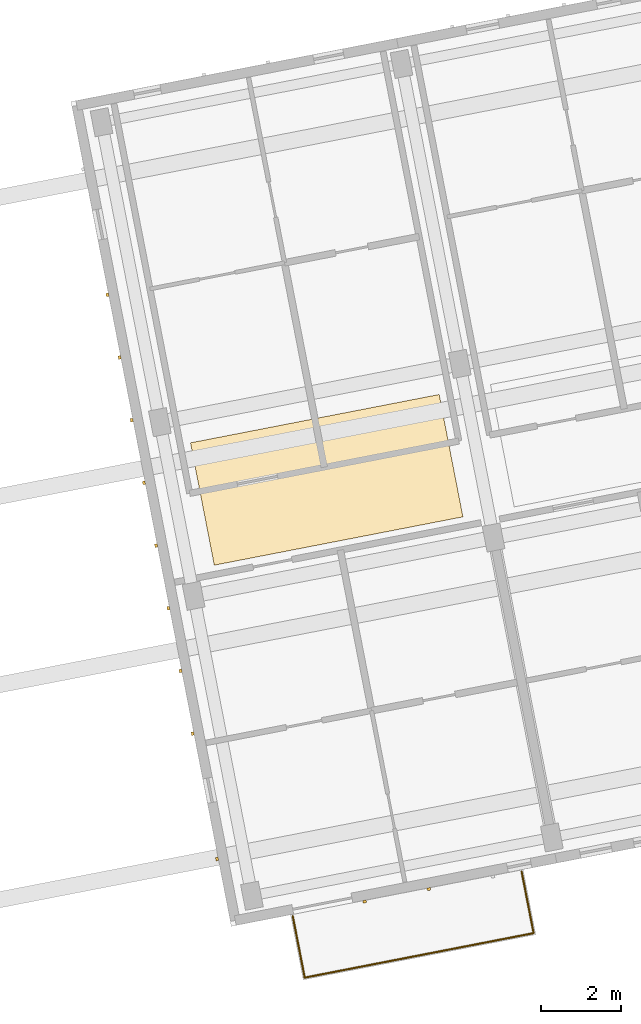
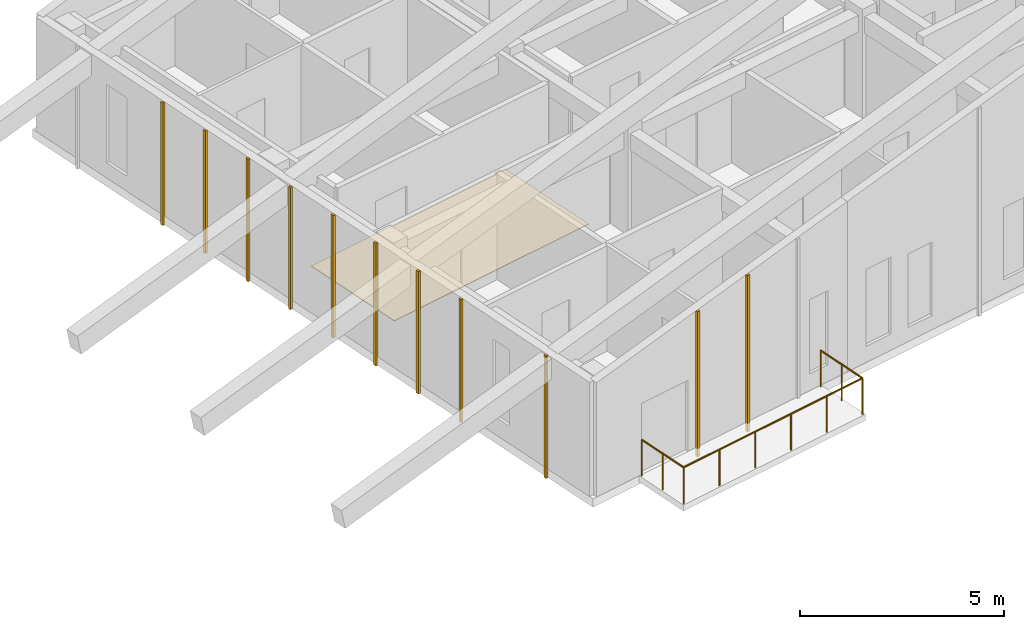
# One storey, part 51 of 64: 12 coverings, 1 railing.
"""IFC4 building model written with IfcOpenShell, lengths in metres."""

from ifc_helpers import new_model, si_unit, direction, frame, origin, origin_2d, place, context, subcontext, project, spatial, polyline, rectangle, circle, outline, extrude, material, layer, layer_set, type_object, element, save


model = new_model("IFC4")

# Units and contexts
model_context = context("Model", 3, precision=1e-05, world=origin(), true_north=direction((0.0, 1.0)))
body_context = subcontext(model_context, "Body", "Model", "MODEL_VIEW")
ifc_project = project(units=[si_unit("LENGTHUNIT", "METRE"), si_unit("AREAUNIT", "SQUARE_METRE"), si_unit("VOLUMEUNIT", "CUBIC_METRE"), si_unit("PLANEANGLEUNIT", "RADIAN"), si_unit("MASSUNIT", "GRAM", prefix="KILO")], contexts=[model_context])

# Site, building, storey
site_placement = place(None, origin())
site = spatial("IfcSite", under=ifc_project, at=site_placement, CompositionType="ELEMENT")
building_placement = place(site_placement, origin())
building = spatial("IfcBuilding", under=site, at=building_placement, Name="Kestramere Prow Commons", CompositionType="ELEMENT")
storey_placement = place(building_placement, frame((0.0, 0.0, 24.64990234375)))
storey = spatial("IfcBuildingStorey", under=building, at=storey_placement, Name="L07", CompositionType="ELEMENT", Elevation=24.64990234375)

# Coverings
ifc_material_1 = material(Name="Weathered Zinc-Titanium Standing-Seam Cladding")
ifc_layer_1 = layer(ifc_material_1, 0.074951171875)
ifc_layer_set_1 = layer_set([ifc_layer_1], Name="Weathered Zinc-Titanium Standing-Seam Cladding")
covering_type_1 = type_object("IfcCoveringType", Name="COV-CLAD-SEAM", PredefinedType="CLADDING", material=ifc_layer_set_1)
covering_1_placement = place(storey_placement, frame((130.259765625, 35.614990234375, -0.25), z_axis=(0.0, 0.0, 1.0), x_axis=(-0.981627183448, -0.190808995377, 0.0)))
element("IfcCovering", 1, at=covering_1_placement, inside=storey, type_object=covering_type_1, Name="EW-D-L07-S-1 Standing-Seam Rib 2", PredefinedType="CLADDING", context=body_context, shape_type="SweptSolid", body=[
    extrude(rectangle(XDim=0.0849609375, YDim=0.06494140625, at=origin_2d()), origin(), (0.0, 0.0, 1.0), 4.668212890625),
])
covering_2_placement = place(storey_placement, frame((128.66455078125, 35.304931640625, -0.25), z_axis=(0.0, 0.0, 1.0), x_axis=(-0.981627183448, -0.190808995377, 0.0)))
element("IfcCovering", 2, at=covering_2_placement, inside=storey, type_object=covering_type_1, Name="EW-D-L07-S-1 Standing-Seam Rib 3", PredefinedType="CLADDING", context=body_context, shape_type="SweptSolid", body=[
    extrude(rectangle(XDim=0.0849609375, YDim=0.06494140625, at=origin_2d()), origin(), (0.0, 0.0, 1.0), 4.331787109375),
])
for number, where, z_axis, x_axis, name in (
    (3, (124.992431640625, 36.36474609375, -0.25), (0.0, 0.0, 1.0), (-0.190808995377, 0.981627183448, 0.0), "EW-D-L07-EAV Standing-Seam Rib 1"),
    (4, (124.38623046875, 39.4833984375, -0.25), (0.0, 0.0, 1.0), (-0.190808995377, 0.981627183448, 0.0), "EW-D-L07-EAV Standing-Seam Rib 3"),
    (5, (124.0830078125, 41.042724609375, -0.25), (0.0, 0.0, 1.0), (-0.190808995377, 0.981627183448, 0.0), "EW-D-L07-EAV Standing-Seam Rib 4"),
    (6, (123.780029296875, 42.601806640625, -0.25), (0.0, 0.0, 1.0), (-0.190808995377, 0.981627183448, 0.0), "EW-D-L07-EAV Standing-Seam Rib 5"),
    (7, (123.47705078125, 44.1611328125, -0.25), (0.0, 0.0, 1.0), (-0.190808995377, 0.981627183448, 0.0), "EW-D-L07-EAV Standing-Seam Rib 6"),
    (8, (123.173828125, 45.720458984375, -0.25), (0.0, 0.0, 1.0), (-0.190808995377, 0.981627183448, 0.0), "EW-D-L07-EAV Standing-Seam Rib 7"),
    (9, (122.870849609375, 47.27978515625, -0.25), (0.0, 0.0, 1.0), (-0.190808995377, 0.981627183448, 0.0), "EW-D-L07-EAV Standing-Seam Rib 8"),
    (10, (122.567626953125, 48.839111328125, -0.25), (0.0, 0.0, 1.0), (-0.190808995377, 0.981627183448, 0.0), "EW-D-L07-EAV Standing-Seam Rib 9"),
    (11, (122.2646484375, 50.398193359375, -0.25), (0.0, 0.0, 1.0), (-0.190808995377, 0.981627183448, 0.0), "EW-D-L07-EAV Standing-Seam Rib 10"),
):
    element("IfcCovering", number, at=place(storey_placement, frame(where, z_axis=z_axis, x_axis=x_axis)), inside=storey, type_object=covering_type_1, Name=name, PredefinedType="CLADDING", context=body_context, shape_type="SweptSolid", body=[
        extrude(rectangle(XDim=0.0849609375, YDim=0.06494140625, at=origin_2d()), origin(), (0.0, 0.0, 1.0), 3.6591796875),
    ])
ifc_material_2 = material(Name="Honed Cementitious Terrazzo Tile")
ifc_layer_2 = layer(ifc_material_2, 0.02001953125)
ifc_layer_set_2 = layer_set([ifc_layer_2], Name="Honed Cementitious Terrazzo Tile")
covering_type_2 = type_object("IfcCoveringType", Name="COV-FLOOR-TERRAZZO", PredefinedType="FLOORING", material=ifc_layer_set_2)
covering_3_placement = place(storey_placement, origin())
element("IfcCovering", 12, at=covering_3_placement, inside=storey, type_object=covering_type_2, Name="Block D L07 Corridor Terrazzo Flooring 2", PredefinedType="FLOORING", context=body_context, shape_type="SweptSolid", body=[
    extrude(outline(polyline([(124.92431640625, 43.672607421875), (131.1083984375, 44.874755859375), (130.51708984375, 47.917724609375), (124.332763671875, 46.715576171875), (124.92431640625, 43.672607421875)])), origin(), (0.0, 0.0, 1.0), 0.02001953125),
])

# Railing
ifc_material_3 = material(Name="Powder-Coated Aluminium 6063-T6", Category="aluminium")
railing_type = type_object("IfcRailingType", Name="GRD-BALC-1100", PredefinedType="BALUSTRADE", material=ifc_material_3)
railing_placement = place(storey_placement, frame((126.87548828125, 34.944580078125, 0.0)))
element("IfcRailing", 13, at=railing_placement, inside=storey, type_object=railing_type, Name="Block D L07 Balcony Guardrail 2", PredefinedType="BALUSTRADE", context=body_context, shape_type="SweptSolid", body=[
    extrude(circle(Radius=0.02392578125, at=origin_2d()), frame((0.0, 0.0, 1.076171875), z_axis=(0.19078587602, -0.981631677113, 0.0), x_axis=(0.981631677113, 0.19078587602, 0.0)), (0.0, 0.0, 1.0), 1.559814453125),
    extrude(circle(Radius=0.02392578125, at=origin_2d()), frame((0.297607421875, -1.53125, 1.076171875), z_axis=(0.981628312332, 0.190803187676, 0.0), x_axis=(-0.190803187676, 0.981628312332, 0.0)), (0.0, 0.0, 1.0), 5.800048828125),
    extrude(circle(Radius=0.02392578125, at=origin_2d()), frame((5.9912109375, -0.424560546875, 1.076171875), z_axis=(-0.190936682564, 0.981602354954, 0.0), x_axis=(-0.981602354954, -0.190936682564, 0.0)), (0.0, 0.0, 1.0), 1.56005859375),
    extrude(circle(Radius=0.02099609375, at=origin_2d()), origin(), (0.0, 0.0, 1.0), 1.052001953125),
    extrude(circle(Radius=0.02099609375, at=origin_2d()), frame((0.14892578125, -0.765625, 0.0)), (0.0, 0.0, 1.0), 1.052001953125),
    extrude(circle(Radius=0.02099609375, at=origin_2d()), frame((0.297607421875, -1.53125, 0.0)), (0.0, 0.0, 1.0), 1.052001953125),
    extrude(circle(Radius=0.02099609375, at=origin_2d()), frame((1.436279296875, -1.309814453125, 0.0)), (0.0, 0.0, 1.0), 1.052001953125),
    extrude(circle(Radius=0.02099609375, at=origin_2d()), frame((2.574951171875, -1.088623046875, 0.0)), (0.0, 0.0, 1.0), 1.052001953125),
    extrude(circle(Radius=0.02099609375, at=origin_2d()), frame((3.7138671875, -0.8671875, 0.0)), (0.0, 0.0, 1.0), 1.052001953125),
    extrude(circle(Radius=0.02099609375, at=origin_2d()), frame((4.8525390625, -0.64599609375, 0.0)), (0.0, 0.0, 1.0), 1.052001953125),
    extrude(circle(Radius=0.02099609375, at=origin_2d()), frame((5.9912109375, -0.424560546875, 0.0)), (0.0, 0.0, 1.0), 1.052001953125),
    extrude(circle(Radius=0.02099609375, at=origin_2d()), frame((5.84228515625, 0.341064453125, 0.0)), (0.0, 0.0, 1.0), 1.052001953125),
    extrude(circle(Radius=0.02099609375, at=origin_2d()), frame((5.693359375, 1.106689453125, 0.0)), (0.0, 0.0, 1.0), 1.052001953125),
])

save(model, "model.ifc")
